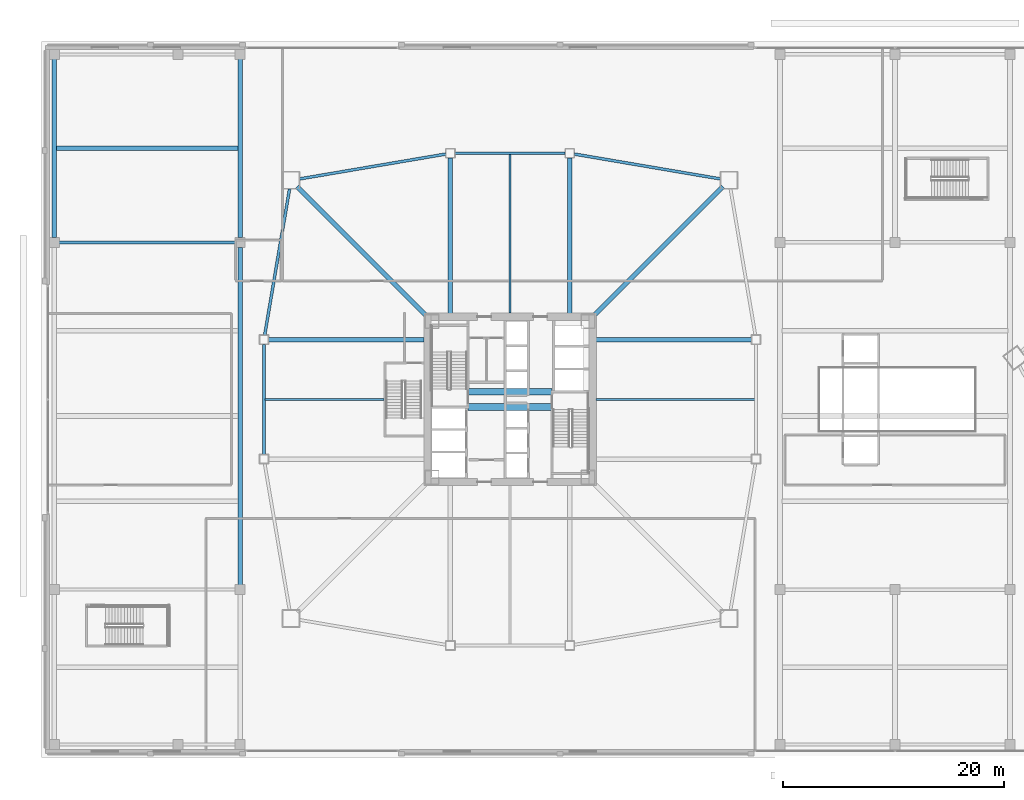
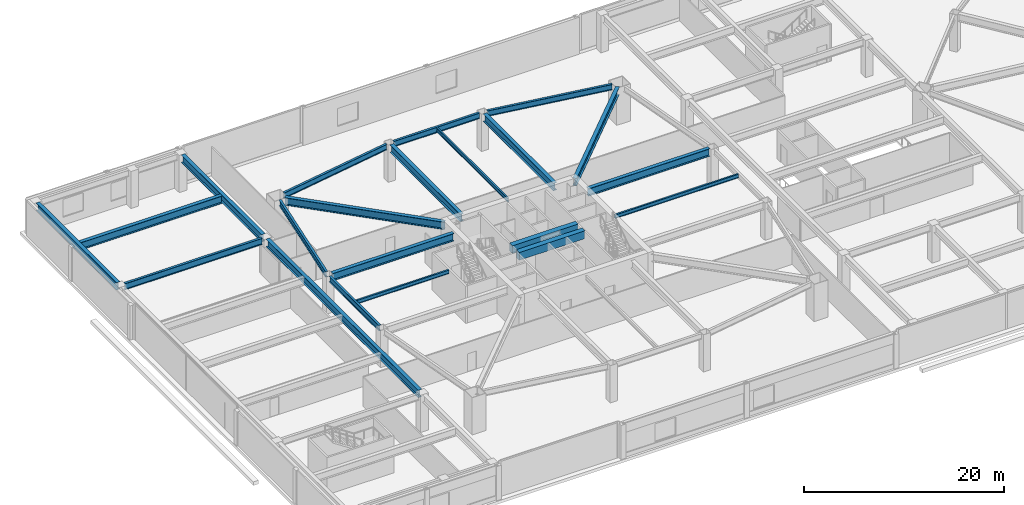
# One storey, part 13 of 44: 21 beams.
"""IFC4 building model written with IfcOpenShell, lengths in metres."""

import ifcopenshell
import ifcopenshell.guid

model = None  # the IFC model being written
_history = None  # IfcOwnerHistory: only IFC2X3 demands one
_inside = {}  # id of a spatial element -> (the spatial element, [elements in it])
_under = {}  # id of a project, library or spatial element -> (it, [spatial elements below it])
_declared = {}  # id of a project -> (the project, [libraries it declares])
_typed = {}  # id of a type object -> (the type object, [elements of that type])
_made_of = {}  # id of a material, layer set ... -> (it, [elements and type objects made of it])


def new_model(schema):
    """Start an empty IFC model of exactly this schema.

    Asked for "IFC4X3", IfcOpenShell would pick the latest addendum, in which some entities
    have other attributes; the version numbers below select the first issue.
    IFC2X3 requires an IfcOwnerHistory on every rooted entity: one is made here for all.
    """
    global model, _history
    if schema == "IFC4X3":
        model = ifcopenshell.file(schema_version=(4, 3, 0, 0))
    else:
        model = ifcopenshell.file(schema=schema)
    _inside.clear()
    _under.clear()
    _declared.clear()
    _typed.clear()
    _made_of.clear()
    _history = None
    if model.schema == "IFC2X3":
        org = make("IfcOrganization", Name="unknown")
        user = make(
            "IfcPersonAndOrganization",
            ThePerson=make("IfcPerson", FamilyName="unknown"),
            TheOrganization=org,
        )
        app = make(
            "IfcApplication",
            ApplicationDeveloper=org,
            Version="unknown",
            ApplicationFullName="unknown",
            ApplicationIdentifier="unknown",
        )
        _history = make(
            "IfcOwnerHistory",
            OwningUser=user,
            OwningApplication=app,
            ChangeAction="ADDED",
            CreationDate=0,
        )
    return model


def make(cls, **values):
    """One entity of the class cls with the attributes given. An attribute that is None is left unset."""
    return model.create_entity(
        cls, **{name: value for name, value in values.items() if value is not None}
    )


def rooted(cls, **values):
    """An entity with a GlobalId (a new one), such as an element, a storey or a relation."""
    return make(cls, GlobalId=ifcopenshell.guid.new(), OwnerHistory=_history, **values)


def si_unit(unit_type, name, prefix=None):
    """IfcSIUnit, for example si_unit("LENGTHUNIT", "METRE", prefix="MILLI")."""
    return make("IfcSIUnit", UnitType=unit_type, Prefix=prefix, Name=name)


def assignment(units):
    """IfcUnitAssignment: the units of a project."""
    return None if units is None else make("IfcUnitAssignment", Units=units)


def point(xyz):
    """IfcCartesianPoint."""
    return None if xyz is None else make("IfcCartesianPoint", Coordinates=xyz)


def direction(xyz):
    """IfcDirection."""
    return None if xyz is None else make("IfcDirection", DirectionRatios=xyz)


def frame(location, z_axis=None, x_axis=None):
    """IfcAxis2Placement3D, a coordinate frame: its origin and axes. An axis left out is left unset."""
    return make(
        "IfcAxis2Placement3D",
        Location=point(location),
        Axis=direction(z_axis),
        RefDirection=direction(x_axis),
    )


def frame_2d(location, x_axis=None):
    """IfcAxis2Placement2D, a coordinate frame in the plane: its origin and x axis."""
    return make(
        "IfcAxis2Placement2D", Location=point(location), RefDirection=direction(x_axis)
    )


def origin():
    """The frame at (0, 0, 0) with its axes left unset."""
    return frame((0.0, 0.0, 0.0))


def origin_2d():
    """The frame at (0, 0) in the plane with its x axis left unset."""
    return frame_2d((0.0, 0.0))


def place(relative_to, where):
    """IfcLocalPlacement: puts the frame where relative to a parent placement (None: the world)."""
    return make(
        "IfcLocalPlacement", PlacementRelTo=relative_to, RelativePlacement=where
    )


def context(
    kind, dimensions, precision=None, world=None, true_north=None, identifier=None
):
    """IfcGeometricRepresentationContext, for example the 3D "Model" context."""
    return make(
        "IfcGeometricRepresentationContext",
        ContextIdentifier=identifier,
        ContextType=kind,
        CoordinateSpaceDimension=dimensions,
        Precision=precision,
        WorldCoordinateSystem=world,
        TrueNorth=true_north,
    )


def subcontext(parent, identifier, kind, view, scale=None):
    """IfcGeometricRepresentationSubContext, for example "Body" below "Model"."""
    return make(
        "IfcGeometricRepresentationSubContext",
        ContextIdentifier=identifier,
        ContextType=kind,
        ParentContext=parent,
        TargetScale=scale,
        TargetView=view,
    )


def project(units=None, contexts=None):
    """IfcProject with its units and contexts."""
    return rooted(
        "IfcProject",
        Name="project",
        RepresentationContexts=contexts,
        UnitsInContext=assignment(units),
    )


def spatial(cls, under=None, at=None, **own):
    """A site, building, storey or space (cls), placed at a placement, below another one or the project."""
    s = rooted(cls, ObjectPlacement=at, **own)
    if under is not None:
        _under.setdefault(under.id(), (under, []))[1].append(s)
    return s


def profile(cls, at=None, kind="AREA", **sizes):
    """A parametric profile (cls). Its sizes go by their IFC names, for example OverallWidth=200.0."""
    return make(cls, ProfileType=kind, Position=at, **sizes)


def rectangle(**sizes):
    """IfcRectangleProfileDef."""
    return profile("IfcRectangleProfileDef", **sizes)


def i_section(**sizes):
    """IfcIShapeProfileDef."""
    return profile("IfcIShapeProfileDef", **sizes)


def extrude(swept, where, along, depth):
    """IfcExtrudedAreaSolid: the profile swept, set in the frame where, extruded along a direction by depth."""
    return make(
        "IfcExtrudedAreaSolid",
        SweptArea=swept,
        Position=where,
        ExtrudedDirection=direction(along),
        Depth=depth,
    )


def shape(context_of_items, identifier, shape_type, items):
    """IfcShapeRepresentation: the items that make up one representation, for example the "Body"."""
    return make(
        "IfcShapeRepresentation",
        ContextOfItems=context_of_items,
        RepresentationIdentifier=identifier,
        RepresentationType=shape_type,
        Items=items,
    )


def material(Name=None, Category=None):
    """IfcMaterial."""
    return make("IfcMaterial", Name=Name, Category=Category)


def material_profile(
    of_material, cross_section, Name=None, Category=None, Priority=None
):
    """IfcMaterialProfile: a cross section and its material."""
    return make(
        "IfcMaterialProfile",
        Name=Name,
        Material=of_material,
        Profile=cross_section,
        Priority=Priority,
        Category=Category,
    )


def profile_set(profiles, Name=None, composite=None):
    """IfcMaterialProfileSet."""
    return make(
        "IfcMaterialProfileSet",
        Name=Name,
        MaterialProfiles=profiles,
        CompositeProfile=composite,
    )


def made_of(thing, what):
    """Note that an element or type object is made of a material, layer set ...; save() writes the relation."""
    if what is not None:
        _made_of.setdefault(what.id(), (what, []))[1].append(thing)
    return thing


def type_object(cls, material=None, **own):
    """A type object (cls), such as IfcWallType, which elements share."""
    return made_of(rooted(cls, **own), material)


def element(
    cls,
    number,
    at=None,
    inside=None,
    cuts=None,
    type_object=None,
    material=None,
    context=None,
    identifier="Body",
    shape_type=None,
    held_by="IfcProductDefinitionShape",
    body=None,
    shapes=None,
    **own,
):
    """One element of the class cls, such as IfcWall. Its Tag is "e" and its number.

    at: its placement. inside: the storey or other place that contains it. cuts: it is an
    opening in that element (IfcRelVoidsElement). A single representation is given by context,
    identifier, shape_type and body (its items); several are given by shapes. held_by: the class
    of the entity that holds the representations. save() writes the other relations.
    """
    e = rooted(cls, Tag="e%d" % number, ObjectPlacement=at, **own)
    if body is not None:
        shapes = [shape(context, identifier, shape_type, body)]
    if shapes is not None:
        e.Representation = make(held_by, Representations=shapes)
    if inside is not None:
        _inside.setdefault(inside.id(), (inside, []))[1].append(e)
    if cuts is not None:
        rooted(
            "IfcRelVoidsElement", RelatingBuildingElement=cuts, RelatedOpeningElement=e
        )
    if type_object is not None:
        _typed.setdefault(type_object.id(), (type_object, []))[1].append(e)
    return made_of(e, material)


def aggregate(whole, parts):
    """IfcRelAggregates: a whole, such as a stair, and the parts it consists of."""
    return rooted("IfcRelAggregates", RelatingObject=whole, RelatedObjects=parts)


def save(model, path):
    """Write the relations noted so far, then the file.

    IfcRelAggregates (storeys below a building ...), IfcRelContainedInSpatialStructure (elements
    in a storey), IfcRelDefinesByType, IfcRelAssociatesMaterial and IfcRelDeclares: one each for
    every whole, place, type object, material and project.
    """
    for whole, parts in _under.values():
        aggregate(whole, parts)
    for where, things in _inside.values():
        rooted(
            "IfcRelContainedInSpatialStructure",
            RelatedElements=things,
            RelatingStructure=where,
        )
    for kind, things in _typed.values():
        rooted("IfcRelDefinesByType", RelatedObjects=things, RelatingType=kind)
    for what, things in _made_of.values():
        rooted("IfcRelAssociatesMaterial", RelatedObjects=things, RelatingMaterial=what)
    for by, libraries in _declared.values():
        rooted("IfcRelDeclares", RelatingContext=by, RelatedDefinitions=libraries)
    model.write(path)


model = new_model("IFC4")

# Units and contexts
model_context = context("Model", 3, precision=1e-05, world=origin(), true_north=direction((0.0, 1.0)))
body_context = subcontext(model_context, "Body", "Model", "MODEL_VIEW")
ifc_project = project(units=[si_unit("LENGTHUNIT", "METRE"), si_unit("AREAUNIT", "SQUARE_METRE"), si_unit("VOLUMEUNIT", "CUBIC_METRE"), si_unit("PLANEANGLEUNIT", "RADIAN"), si_unit("MASSUNIT", "GRAM", prefix="KILO")], contexts=[model_context])

# Site, building, storey
site_placement = place(None, origin())
site = spatial("IfcSite", under=ifc_project, at=site_placement, CompositionType="ELEMENT")
building_placement = place(site_placement, origin())
building = spatial("IfcBuilding", under=site, at=building_placement, Name="Tashvorn Skyway Center", CompositionType="ELEMENT")
storey_placement = place(building_placement, frame((0.0, 0.0, 5.39990234375)))
storey = spatial("IfcBuildingStorey", under=building, at=storey_placement, Name="L01", CompositionType="ELEMENT", Elevation=5.39990234375)

# Beams
ifc_material_1 = material(Name="Steel ASTM A992 Grade 50", Category="steel")
ifc_material_profile_1 = material_profile(ifc_material_1, i_section(OverallWidth=0.26708984375, OverallDepth=0.779052734375, WebThickness=0.0166015625, FlangeThickness=0.030029296875, at=origin_2d()), Name="W30X148")
ifc_profile_set_1 = profile_set([ifc_material_profile_1], Name="Steel ASTM A992 Grade 50")
beam_type_1 = type_object("IfcBeamType", Name="BM-BEAM-W30X148", PredefinedType="BEAM", material=ifc_profile_set_1)
beam_1_placement = place(storey_placement, frame((1.2451171875, 46.199951171875, 4.150634765625), z_axis=(1.0, 0.0, 0.0), x_axis=(0.0, 1.0, 0.0)))
element("IfcBeam", 1, at=beam_1_placement, inside=storey, type_object=beam_type_1, Name="L01 West Auditorium Span Girder 07", PredefinedType="BEAM", context=body_context, shape_type="SweptSolid", body=[
    extrude(i_section(OverallWidth=0.26708984375, OverallDepth=0.779052734375, WebThickness=0.0166015625, FlangeThickness=0.030029296875, at=origin_2d()), origin(), (0.0, 0.0, 1.0), 15.909912109375),
])
ifc_material_2 = material(Name="Steel ASTM A913 Grade 65", Category="steel")
ifc_material_profile_2 = material_profile(ifc_material_2, i_section(OverallWidth=0.4189453125, OverallDepth=0.927001953125, WebThickness=0.019287109375, FlangeThickness=0.031982421875, at=origin_2d()), Name="W36X231")
ifc_profile_set_2 = profile_set([ifc_material_profile_2], Name="Steel ASTM A913 Grade 65")
beam_type_2 = type_object("IfcBeamType", Name="BM-BEAM-W36X231", PredefinedType="BEAM", material=ifc_profile_set_2)
for number, where, z_axis, x_axis, name in (
    (2, (61.23779296875, 51.23779296875, 4.07666015625), (-0.707106781187, -0.707106781187, 0.0), (0.707106781187, -0.707106781187, 0.0), "Tower 1 L01 Primary Floor Girder MC-NE"),
    (3, (22.76220703125, 51.23779296875, 4.07666015625), (0.707106781187, -0.707106781187, 0.0), (0.707106781187, 0.707106781187, 0.0), "Tower 1 L01 Primary Floor Girder MC-NW"),
):
    element("IfcBeam", number, at=place(storey_placement, frame(where, z_axis=z_axis, x_axis=x_axis)), inside=storey, type_object=beam_type_2, Name=name, PredefinedType="BEAM", context=body_context, shape_type="SweptSolid", body=[
        extrude(i_section(OverallWidth=0.4189453125, OverallDepth=0.927001953125, WebThickness=0.019287109375, FlangeThickness=0.031982421875, at=origin_2d()), origin(), (0.0, 0.0, 1.0), 16.591064453125),
    ])
for number, where, z_axis, x_axis, name in (
    (4, (63.830078125, 37.39990234375, 4.07666015625), (-1.0, 0.0, 0.0), (0.0, -1.0, 0.0), "Tower 1 L01 Primary Floor Girder FC-E2"),
    (5, (47.39990234375, 53.830078125, 4.07666015625), (0.0, -1.0, 0.0), (1.0, 0.0, 0.0), "Tower 1 L01 Primary Floor Girder FC-N1"),
    (6, (36.60009765625, 53.830078125, 4.07666015625), (0.0, -1.0, 0.0), (1.0, 0.0, 0.0), "Tower 1 L01 Primary Floor Girder FC-N2"),
    (7, (20.169921875, 37.39990234375, 4.07666015625), (1.0, 0.0, 0.0), (0.0, 1.0, 0.0), "Tower 1 L01 Primary Floor Girder FC-W1"),
):
    element("IfcBeam", number, at=place(storey_placement, frame(where, z_axis=z_axis, x_axis=x_axis)), inside=storey, type_object=beam_type_2, Name=name, PredefinedType="BEAM", context=body_context, shape_type="SweptSolid", body=[
        extrude(i_section(OverallWidth=0.4189453125, OverallDepth=0.927001953125, WebThickness=0.019287109375, FlangeThickness=0.031982421875, at=origin_2d()), origin(), (0.0, 0.0, 1.0), 14.050048828125),
    ])
beam_2_placement = place(storey_placement, frame((0.800048828125, 46.64501953125, 4.07666015625), z_axis=(0.0, 1.0, 0.0), x_axis=(-1.0, 0.0, 0.0)))
element("IfcBeam", 8, at=beam_2_placement, inside=storey, type_object=beam_type_2, Name="L01 North-South Podium Girder 01-N", PredefinedType="BEAM", context=body_context, shape_type="SweptSolid", body=[
    extrude(i_section(OverallWidth=0.4189453125, OverallDepth=0.927001953125, WebThickness=0.019287109375, FlangeThickness=0.031982421875, at=origin_2d()), origin(), (0.0, 0.0, 1.0), 16.10986328125),
])
beam_3_placement = place(storey_placement, frame((17.60009765625, 15.2451171875, 4.07666015625), z_axis=(0.0, 1.0, 0.0), x_axis=(-1.0, 0.0, 0.0)))
element("IfcBeam", 9, at=beam_3_placement, inside=storey, type_object=beam_type_2, Name="L01 North-South Podium Girder 02-M", PredefinedType="BEAM", context=body_context, shape_type="SweptSolid", body=[
    extrude(i_section(OverallWidth=0.4189453125, OverallDepth=0.927001953125, WebThickness=0.019287109375, FlangeThickness=0.031982421875, at=origin_2d()), origin(), (0.0, 0.0, 1.0), 30.509765625),
])
beam_4_placement = place(storey_placement, frame((17.60009765625, 46.64501953125, 4.07666015625), z_axis=(0.0, 1.0, 0.0), x_axis=(-1.0, 0.0, 0.0)))
element("IfcBeam", 10, at=beam_4_placement, inside=storey, type_object=beam_type_2, Name="L01 North-South Podium Girder 02-N", PredefinedType="BEAM", context=body_context, shape_type="SweptSolid", body=[
    extrude(i_section(OverallWidth=0.4189453125, OverallDepth=0.927001953125, WebThickness=0.019287109375, FlangeThickness=0.031982421875, at=origin_2d()), origin(), (0.0, 0.0, 1.0), 16.10986328125),
])
beam_5_placement = place(storey_placement, frame((1.00146484375, 54.699951171875, 4.07666015625), z_axis=(1.0, 0.0, 0.0), x_axis=(0.0, 1.0, 0.0)))
element("IfcBeam", 11, at=beam_5_placement, inside=storey, type_object=beam_type_2, Name="L01 West Auditorium Span Girder 08", PredefinedType="BEAM", context=body_context, shape_type="SweptSolid", body=[
    extrude(i_section(OverallWidth=0.4189453125, OverallDepth=0.927001953125, WebThickness=0.019287109375, FlangeThickness=0.031982421875, at=origin_2d()), origin(), (0.0, 0.0, 1.0), 16.39697265625),
])
ifc_material_profile_3 = material_profile(ifc_material_1, i_section(OverallWidth=0.19091796875, OverallDepth=0.4599609375, WebThickness=0.010009765625, FlangeThickness=0.01611328125, at=origin_2d()), Name="W18X55")
ifc_profile_set_3 = profile_set([ifc_material_profile_3], Name="Steel ASTM A992 Grade 50")
beam_type_3 = type_object("IfcBeamType", Name="BM-JOIST-W18X55", PredefinedType="JOIST", material=ifc_profile_set_3)
for number, where, z_axis, x_axis, name in (
    (12, (42.0, 39.7900390625, 4.31005859375), (0.0, 1.0, 0.0), (-1.0, 0.0, 0.0), "Tower 1 L01 Secondary Composite Joist JN"),
    (13, (49.7900390625, 32.0, 4.31005859375), (1.0, 0.0, 0.0), (0.0, 1.0, 0.0), "Tower 1 L01 Secondary Composite Joist JE"),
):
    element("IfcBeam", number, at=place(storey_placement, frame(where, z_axis=z_axis, x_axis=x_axis)), inside=storey, type_object=beam_type_3, Name=name, PredefinedType="JOIST", context=body_context, shape_type="SweptSolid", body=[
        extrude(i_section(OverallWidth=0.19091796875, OverallDepth=0.4599609375, WebThickness=0.010009765625, FlangeThickness=0.01611328125, at=origin_2d()), origin(), (0.0, 0.0, 1.0), 14.33984375),
    ])
beam_6_placement = place(storey_placement, frame((30.610107421875, 32.0, 4.31005859375), z_axis=(-1.0, 0.0, 0.0), x_axis=(0.0, -1.0, 0.0)))
element("IfcBeam", 14, at=beam_6_placement, inside=storey, type_object=beam_type_3, Name="Tower 1 L01 Secondary Composite Joist JW", PredefinedType="JOIST", context=body_context, shape_type="SweptSolid", body=[
    extrude(i_section(OverallWidth=0.19091796875, OverallDepth=0.4599609375, WebThickness=0.010009765625, FlangeThickness=0.01611328125, at=origin_2d()), origin(), (0.0, 0.0, 1.0), 10.739990234375),
])
ifc_material_3 = material(Name="Concrete C60/75", Category="concrete")
ifc_material_profile_4 = material_profile(ifc_material_3, rectangle(XDim=0.60009765625, YDim=0.949951171875, at=origin_2d()), Name="RCB600x950")
ifc_profile_set_4 = profile_set([ifc_material_profile_4], Name="Concrete C60/75")
beam_type_4 = type_object("IfcBeamType", Name="BM-LINTEL-RCB600x950", PredefinedType="LINTEL", material=ifc_profile_set_4)
for number, where, z_axis, x_axis, name in (
    (15, (38.199951171875, 32.679931640625, 4.065185546875), (1.0, 0.0, 0.0), (0.0, 1.0, 0.0), "Tower 1 L01 Core Coupling Beam CN"),
    (16, (38.199951171875, 31.320068359375, 4.065185546875), (1.0, 0.0, 0.0), (0.0, 1.0, 0.0), "Tower 1 L01 Core Coupling Beam CS"),
):
    element("IfcBeam", number, at=place(storey_placement, frame(where, z_axis=z_axis, x_axis=x_axis)), inside=storey, type_object=beam_type_4, Name=name, PredefinedType="LINTEL", context=body_context, shape_type="SweptSolid", body=[
        extrude(rectangle(XDim=0.60009765625, YDim=0.949951171875, at=origin_2d()), origin(), (0.0, 0.0, 1.0), 7.60009765625),
    ])
ifc_material_profile_5 = material_profile(ifc_material_1, i_section(OverallWidth=0.256103515625, OverallDepth=0.693115234375, WebThickness=0.014404296875, FlangeThickness=0.023681640625, at=origin_2d()), Name="W27X114")
ifc_profile_set_5 = profile_set([ifc_material_profile_5], Name="Steel ASTM A992 Grade 50")
beam_type_5 = type_object("IfcBeamType", Name="BM-SPANDREL-W27X114", PredefinedType="SPANDREL", material=ifc_profile_set_5)
beam_7_placement = place(storey_placement, frame((61.016357421875, 51.933349609375, 4.193603515625), z_axis=(-0.985835025551, 0.16771792509, 0.0), x_axis=(-0.16771792509, -0.985835025551, 0.0)))
element("IfcBeam", 17, at=beam_7_placement, inside=storey, type_object=beam_type_5, Name="Tower 1 L01 Spandrel Beam 07", PredefinedType="SPANDREL", context=body_context, shape_type="SweptSolid", body=[
    extrude(i_section(OverallWidth=0.256103515625, OverallDepth=0.693115234375, WebThickness=0.014404296875, FlangeThickness=0.023681640625, at=origin_2d()), origin(), (0.0, 0.0, 1.0), 13.39208984375),
])
beam_8_placement = place(storey_placement, frame((46.97998046875, 54.25, 4.193603515625), z_axis=(-1.0, 0.0, 0.0), x_axis=(0.0, -1.0, 0.0)))
element("IfcBeam", 18, at=beam_8_placement, inside=storey, type_object=beam_type_5, Name="Tower 1 L01 Spandrel Beam 08", PredefinedType="SPANDREL", context=body_context, shape_type="SweptSolid", body=[
    extrude(i_section(OverallWidth=0.256103515625, OverallDepth=0.693115234375, WebThickness=0.014404296875, FlangeThickness=0.023681640625, at=origin_2d()), origin(), (0.0, 0.0, 1.0), 9.9599609375),
])
for number, where, z_axis, x_axis, name in (
    (19, (36.18603515625, 54.179443359375, 4.193603515625), (-0.985835025551, -0.16771792509, 0.0), (0.16771792509, -0.985835025551, 0.0), "Tower 1 L01 Spandrel Beam 09"),
    (20, (22.066650390625, 51.016357421875, 4.193603515625), (-0.16771792509, -0.985835025551, 0.0), (0.985835025551, -0.16771792509, 0.0), "Tower 1 L01 Spandrel Beam 10"),
):
    element("IfcBeam", number, at=place(storey_placement, frame(where, z_axis=z_axis, x_axis=x_axis)), inside=storey, type_object=beam_type_5, Name=name, PredefinedType="SPANDREL", context=body_context, shape_type="SweptSolid", body=[
        extrude(i_section(OverallWidth=0.256103515625, OverallDepth=0.693115234375, WebThickness=0.014404296875, FlangeThickness=0.023681640625, at=origin_2d()), origin(), (0.0, 0.0, 1.0), 13.39208984375),
    ])
beam_9_placement = place(storey_placement, frame((19.75, 36.97998046875, 4.193603515625), z_axis=(0.0, -1.0, 0.0), x_axis=(1.0, 0.0, 0.0)))
element("IfcBeam", 21, at=beam_9_placement, inside=storey, type_object=beam_type_5, Name="Tower 1 L01 Spandrel Beam 11", PredefinedType="SPANDREL", context=body_context, shape_type="SweptSolid", body=[
    extrude(i_section(OverallWidth=0.256103515625, OverallDepth=0.693115234375, WebThickness=0.014404296875, FlangeThickness=0.023681640625, at=origin_2d()), origin(), (0.0, 0.0, 1.0), 9.9599609375),
])

save(model, "model.ifc")
